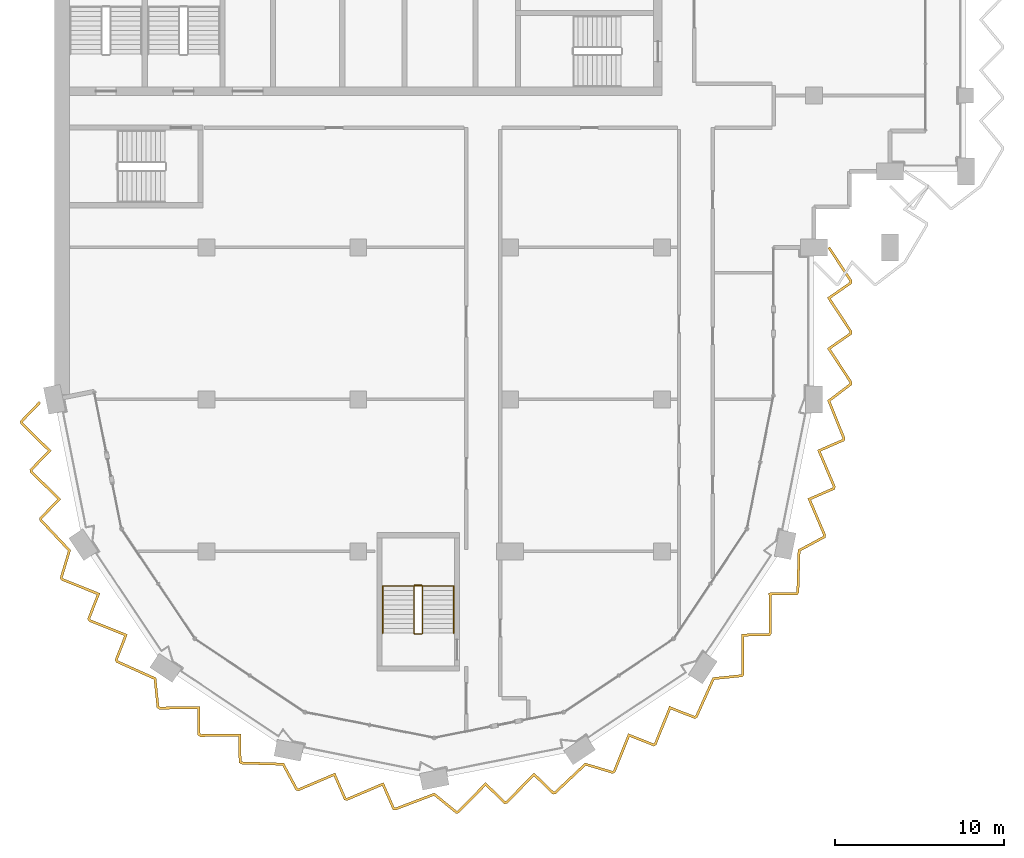
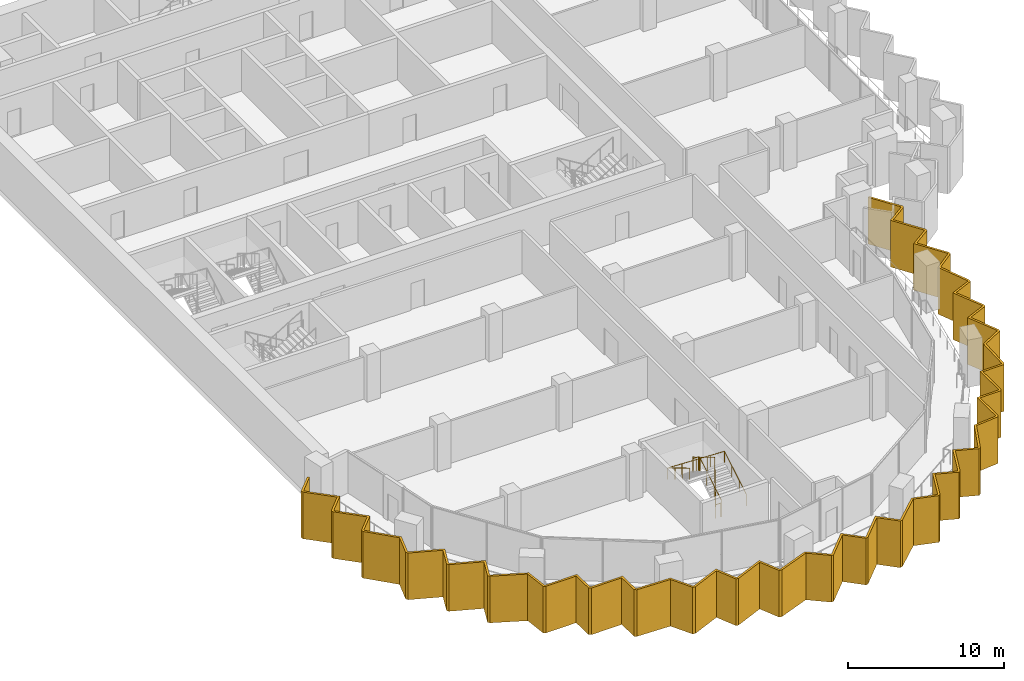
# One storey, part 12 of 15: 2 railings, 1 shading device.
"""IFC4 building model written with IfcOpenShell, lengths in metres."""

from ifc_helpers import new_model, si_unit, direction, frame, origin, origin_2d, place, context, subcontext, project, spatial, polyline, circle, outline, extrude, material, layer, layer_set, type_object, element, save


model = new_model("IFC4")

# Units and contexts
model_context = context("Model", 3, precision=1e-05, world=origin(), true_north=direction((0.0, 1.0)))
body_context = subcontext(model_context, "Body", "Model", "MODEL_VIEW")
ifc_project = project(units=[si_unit("LENGTHUNIT", "METRE"), si_unit("AREAUNIT", "SQUARE_METRE"), si_unit("VOLUMEUNIT", "CUBIC_METRE"), si_unit("PLANEANGLEUNIT", "RADIAN"), si_unit("MASSUNIT", "GRAM", prefix="KILO")], contexts=[model_context])

# Site, building, storey
site_placement = place(None, origin())
site = spatial("IfcSite", under=ifc_project, at=site_placement, CompositionType="ELEMENT")
building_placement = place(site_placement, origin())
building = spatial("IfcBuilding", under=site, at=building_placement, Name="Hunhe Ridgeline Campus", CompositionType="ELEMENT")
storey_placement = place(building_placement, frame((0.0, 0.0, 231.800048828125)))
storey = spatial("IfcBuildingStorey", under=building, at=storey_placement, Name="L59", CompositionType="ELEMENT", Elevation=231.800048828125)

# Shading device
ifc_material_1 = material(Name="Concrete C50", Category="concrete")
ifc_layer = layer(ifc_material_1, 0.14990234375)
ifc_layer_set = layer_set([ifc_layer], Name="Sawtooth concrete fin 150 Concrete C50")
shading_device_type = type_object("IfcShadingDeviceType", Name="Sawtooth concrete fin 150 Concrete C50", PredefinedType="USERDEFINED", material=ifc_layer_set)
shading_device_placement = place(storey_placement, frame((0.0, 0.0, -0.949951171875)))
element("IfcShadingDevice", 1, at=shading_device_placement, inside=storey, type_object=shading_device_type, Name="Concrete fin screen 1", ObjectType="FIN", PredefinedType="USERDEFINED", context=body_context, shape_type="SweptSolid", body=[
    extrude(outline(polyline([(-0.80419921875, 44.777099609375), (-0.912109375, 44.88134765625), (-2.038330078125, 43.714111328125), (-2.002685546875, 43.535400390625), (-0.392822265625, 41.957763671875), (-1.467529296875, 40.843994140625), (-1.431884765625, 40.665283203125), (0.177978515625, 39.087646484375), (-0.896484375, 37.973876953125), (-0.861328125, 37.796630859375), (0.80419921875, 36.0283203125), (0.32373046875, 34.41845703125), (0.4228515625, 34.27001953125), (2.513916015625, 33.428466796875), (1.947509765625, 31.988525390625), (2.048828125, 31.8369140625), (4.1396484375, 30.995361328125), (3.5732421875, 29.555419921875), (3.673583984375, 29.405029296875), (5.88916015625, 28.40869140625), (6.061279296875, 26.7373046875), (6.209716796875, 26.63818359375), (8.46337890625, 26.6611328125), (8.4912109375, 25.11376953125), (8.642822265625, 25.012451171875), (10.896728515625, 25.03515625), (10.92431640625, 23.488037109375), (11.07470703125, 23.387451171875), (13.502685546875, 23.314697265625), (14.301513671875, 21.836669921875), (14.476318359375, 21.802001953125), (16.550048828125, 22.685546875), (17.167724609375, 21.2666015625), (17.346435546875, 21.23095703125), (19.420166015625, 22.114501953125), (20.037841796875, 20.69580078125), (20.215087890625, 20.660400390625), (22.486328125, 21.5224609375), (23.789794921875, 20.46240234375), (23.964599609375, 20.497314453125), (25.542236328125, 22.107177734375), (26.656005859375, 21.032470703125), (26.834716796875, 21.068115234375), (28.412353515625, 22.677978515625), (29.526123046875, 21.603515625), (29.703369140625, 21.638671875), (31.4716796875, 23.30419921875), (33.08154296875, 22.82373046875), (33.22998046875, 22.9228515625), (34.071533203125, 25.013916015625), (35.511474609375, 24.447509765625), (35.6630859375, 24.548828125), (36.504638671875, 26.6396484375), (37.944580078125, 26.0732421875), (38.094970703125, 26.173583984375), (39.09130859375, 28.38916015625), (40.7626953125, 28.561279296875), (40.86181640625, 28.709716796875), (40.8388671875, 30.96337890625), (42.38623046875, 30.9912109375), (42.487548828125, 31.142822265625), (42.46484375, 33.396728515625), (44.011962890625, 33.42431640625), (44.112548828125, 33.57470703125), (44.185302734375, 36.002685546875), (45.663330078125, 36.801513671875), (45.697998046875, 36.976318359375), (44.814453125, 39.050048828125), (46.2333984375, 39.667724609375), (46.26904296875, 39.846435546875), (45.385498046875, 41.920166015625), (46.80419921875, 42.537841796875), (46.83984375, 42.7158203125), (45.9658203125, 44.888671875), (47.25, 45.865478515625), (47.25, 46.045166015625), (45.977783203125, 47.97998046875), (47.25, 48.863525390625), (47.25, 49.045166015625), (45.977783203125, 50.97998046875), (47.25, 51.863525390625), (47.25, 52.045166015625), (45.937744140625, 54.041259765625), (45.812255859375, 53.958740234375), (47.10009765625, 52.000244140625), (47.10009765625, 51.94189453125), (45.772216796875, 51.02001953125), (47.10009765625, 49.000244140625), (47.10009765625, 48.94189453125), (45.772216796875, 48.02001953125), (47.10009765625, 46.000244140625), (47.10009765625, 45.93994140625), (45.7841796875, 44.93896484375), (46.683837890625, 42.701416015625), (46.672607421875, 42.64404296875), (45.189208984375, 41.998291015625), (46.11279296875, 39.830322265625), (46.1015625, 39.77392578125), (44.6181640625, 39.128173828125), (45.5419921875, 36.960205078125), (45.530029296875, 36.89990234375), (44.037841796875, 36.09375), (43.9638671875, 33.6220703125), (43.930908203125, 33.572998046875), (42.313232421875, 33.5439453125), (42.337158203125, 31.187744140625), (42.30517578125, 31.1396484375), (40.6875, 31.11083984375), (40.711181640625, 28.75439453125), (40.677001953125, 28.703369140625), (38.989990234375, 28.529541015625), (37.975830078125, 26.2744140625), (37.926513671875, 26.241455078125), (36.421142578125, 26.833740234375), (35.541259765625, 24.647705078125), (35.493408203125, 24.61572265625), (33.98779296875, 25.2080078125), (33.108154296875, 23.02197265625), (33.056884765625, 22.98779296875), (31.431884765625, 23.47265625), (29.6318359375, 21.777587890625), (29.57373046875, 21.765869140625), (28.409423828125, 22.88916015625), (26.760009765625, 21.206298828125), (26.70361328125, 21.195068359375), (25.539306640625, 22.318359375), (23.889892578125, 20.63525390625), (23.82958984375, 20.623291015625), (22.513671875, 21.693359375), (20.2021484375, 20.81591796875), (20.14404296875, 20.827392578125), (19.498291015625, 22.310791015625), (17.330322265625, 21.38720703125), (17.27392578125, 21.3984375), (16.628173828125, 22.8818359375), (14.460205078125, 21.9580078125), (14.39990234375, 21.969970703125), (13.59375, 23.462158203125), (11.1220703125, 23.5361328125), (11.072998046875, 23.569091796875), (11.0439453125, 25.186767578125), (8.687744140625, 25.162841796875), (8.6396484375, 25.19482421875), (8.61083984375, 26.8125), (6.25439453125, 26.788818359375), (6.203369140625, 26.822998046875), (6.029541015625, 28.510009765625), (3.7744140625, 29.524169921875), (3.741455078125, 29.573486328125), (4.333740234375, 31.078857421875), (2.147705078125, 31.958740234375), (2.11572265625, 32.006591796875), (2.7080078125, 33.51220703125), (0.52197265625, 34.391845703125), (0.48779296875, 34.443115234375), (0.97265625, 36.068115234375), (-0.722412109375, 37.8681640625), (-0.734130859375, 37.92626953125), (0.38916015625, 39.090576171875), (-1.293701171875, 40.739990234375), (-1.304931640625, 40.79638671875), (-0.181640625, 41.960693359375), (-1.86474609375, 43.610107421875), (-1.8759765625, 43.66650390625), (-0.80419921875, 44.777099609375)])), origin(), (0.0, 0.0, 1.0), 3.64990234375),
])

# Railings
ifc_material_2 = material(Name="Stainless steel balustrade", Category="steel")
railing_type_1 = type_object("IfcRailingType", Name="Stair guard 1100 stainless", PredefinedType="GUARDRAIL", material=ifc_material_2)
railing_1_placement = place(storey_placement, frame((21.800048828125, 31.14990234375, 0.168212890625)))
element("IfcRailing", 2, at=railing_1_placement, inside=storey, type_object=railing_type_1, Name="L59 stair W3 guard", PredefinedType="GUARDRAIL", context=body_context, shape_type="SweptSolid", body=[
    extrude(circle(Radius=0.02392578125, at=origin_2d()), frame((0.0, 0.0, 1.076171875), z_axis=(0.0, 0.857275202839, 0.514858452973), x_axis=(-1.0, 0.0, 0.0)), (0.0, 0.0, 1.0), 3.26611328125),
    extrude(circle(Radius=0.02392578125, at=origin_2d()), frame((0.0, 2.800048828125, 2.7578125), z_axis=(-0.707106781187, 0.707106781187, 0.0), x_axis=(-0.707106781187, -0.707106781187, 0.0)), (0.0, 0.0, 1.0), 0.07080078125),
    extrude(circle(Radius=0.02392578125, at=origin_2d()), frame((-0.050048828125, 2.85009765625, 2.7578125), z_axis=(-1.0, 0.0, 0.0), x_axis=(0.0, -1.0, 0.0)), (0.0, 0.0, 1.0), 0.39990234375),
    extrude(circle(Radius=0.02392578125, at=origin_2d()), frame((-0.449951171875, 2.85009765625, 2.7578125), z_axis=(-0.274243871929, -0.274243871929, 0.92172696468), x_axis=(0.707106781187, -0.707106781187, 0.0)), (0.0, 0.0, 1.0), 0.1826171875),
    extrude(circle(Radius=0.02392578125, at=origin_2d()), frame((-0.5, 2.800048828125, 2.92578125), z_axis=(0.0, -0.857242210791, 0.514913383045), x_axis=(1.0, 0.0, 0.0)), (0.0, 0.0, 1.0), 3.266357421875),
    extrude(circle(Radius=0.02392578125, at=origin_2d()), frame((-0.5, 0.0, 4.60791015625), z_axis=(0.013524426427, -0.013458453615, -0.999817963389), x_axis=(0.705375805398, 0.708833529934, 0.0)), (0.0, 0.0, 1.0), 3.70068359375),
    extrude(circle(Radius=0.02392578125, at=origin_2d()), frame((-0.449951171875, -0.0498046875, 0.90771484375), z_axis=(1.0, 0.0, 0.0), x_axis=(0.0, 1.0, 0.0)), (0.0, 0.0, 1.0), 0.39990234375),
    extrude(circle(Radius=0.02099609375, at=origin_2d()), origin(), (0.0, 0.0, 1.0), 1.052001953125),
    extrude(circle(Radius=0.02099609375, at=origin_2d()), frame((0.0, 0.933349609375, 0.560546875)), (0.0, 0.0, 1.0), 1.052001953125),
    extrude(circle(Radius=0.02099609375, at=origin_2d()), frame((0.0, 1.86669921875, 1.12109375)), (0.0, 0.0, 1.0), 1.052001953125),
    extrude(circle(Radius=0.02099609375, at=origin_2d()), frame((0.0, 2.800048828125, 1.681640625)), (0.0, 0.0, 1.0), 1.052001953125),
    extrude(circle(Radius=0.02099609375, at=origin_2d()), frame((-0.050048828125, 2.85009765625, 1.681640625)), (0.0, 0.0, 1.0), 1.052001953125),
    extrude(circle(Radius=0.02099609375, at=origin_2d()), frame((-0.449951171875, 2.85009765625, 1.681640625)), (0.0, 0.0, 1.0), 1.052001953125),
    extrude(circle(Radius=0.02099609375, at=origin_2d()), frame((-0.5, 2.800048828125, 1.849853515625)), (0.0, 0.0, 1.0), 1.052001953125),
    extrude(circle(Radius=0.02099609375, at=origin_2d()), frame((-0.5, 1.86669921875, 2.410400390625)), (0.0, 0.0, 1.0), 1.052001953125),
    extrude(circle(Radius=0.02099609375, at=origin_2d()), frame((-0.5, 0.933349609375, 2.97119140625)), (0.0, 0.0, 1.0), 1.052001953125),
    extrude(circle(Radius=0.02099609375, at=origin_2d()), frame((-0.5, 0.0, 3.53173828125)), (0.0, 0.0, 1.0), 1.052001953125),
    extrude(circle(Radius=0.02099609375, at=origin_2d()), frame((-0.487548828125, -0.012451171875, 2.606689453125)), (0.0, 0.0, 1.0), 1.052001953125),
    extrude(circle(Radius=0.02099609375, at=origin_2d()), frame((-0.47509765625, -0.02490234375, 1.681640625)), (0.0, 0.0, 1.0), 1.052001953125),
    extrude(circle(Radius=0.02099609375, at=origin_2d()), frame((-0.46240234375, -0.037353515625, 0.7568359375)), (0.0, 0.0, 1.0), 1.052001953125),
    extrude(circle(Radius=0.02099609375, at=origin_2d()), frame((-0.449951171875, -0.0498046875, -0.168212890625)), (0.0, 0.0, 1.0), 1.052001953125),
    extrude(circle(Radius=0.02099609375, at=origin_2d()), frame((-0.050048828125, -0.0498046875, -0.168212890625)), (0.0, 0.0, 1.0), 1.052001953125),
])
ifc_material_3 = material(Name="Stainless steel handrail", Category="steel")
railing_type_2 = type_object("IfcRailingType", Name="Stair handrail 900 stainless", PredefinedType="HANDRAIL", material=ifc_material_3)
railing_2_placement = place(storey_placement, frame((23.64990234375, 31.14990234375, 0.168212890625)))
element("IfcRailing", 3, at=railing_2_placement, inside=storey, type_object=railing_type_2, Name="L59 stair W3 handrail", PredefinedType="HANDRAIL", context=body_context, shape_type="SweptSolid", body=[
    extrude(circle(Radius=0.02392578125, at=origin_2d()), frame((0.0, 0.0, 0.8759765625), z_axis=(0.0, 0.857275202839, 0.514858452973), x_axis=(-1.0, 0.0, 0.0)), (0.0, 0.0, 1.0), 3.26611328125),
    extrude(circle(Radius=0.02392578125, at=origin_2d()), frame((0.0, 2.800048828125, 2.5576171875), z_axis=(-0.999198916169, 0.0, 0.040019069537), x_axis=(0.0, -1.0, 0.0)), (0.0, 0.0, 1.0), 4.203369140625),
    extrude(circle(Radius=0.02392578125, at=origin_2d()), frame((-4.199951171875, 2.800048828125, 2.7255859375), z_axis=(0.0, -0.857242210791, 0.514913383045), x_axis=(1.0, 0.0, 0.0)), (0.0, 0.0, 1.0), 3.266357421875),
    extrude(circle(Radius=0.02099609375, at=origin_2d()), origin(), (0.0, 0.0, 1.0), 0.851806640625),
    extrude(circle(Radius=0.02099609375, at=origin_2d()), frame((0.0, 0.933349609375, 0.560546875)), (0.0, 0.0, 1.0), 0.851806640625),
    extrude(circle(Radius=0.02099609375, at=origin_2d()), frame((0.0, 1.86669921875, 1.12109375)), (0.0, 0.0, 1.0), 0.851806640625),
    extrude(circle(Radius=0.02099609375, at=origin_2d()), frame((0.0, 2.800048828125, 1.681640625)), (0.0, 0.0, 1.0), 0.851806640625),
    extrude(circle(Radius=0.02099609375, at=origin_2d()), frame((-1.050048828125, 2.800048828125, 1.7236328125)), (0.0, 0.0, 1.0), 0.851806640625),
    extrude(circle(Radius=0.02099609375, at=origin_2d()), frame((-2.10009765625, 2.800048828125, 1.765625)), (0.0, 0.0, 1.0), 0.851806640625),
    extrude(circle(Radius=0.02099609375, at=origin_2d()), frame((-3.14990234375, 2.800048828125, 1.807861328125)), (0.0, 0.0, 1.0), 0.851806640625),
    extrude(circle(Radius=0.02099609375, at=origin_2d()), frame((-4.199951171875, 2.800048828125, 1.849853515625)), (0.0, 0.0, 1.0), 0.851806640625),
    extrude(circle(Radius=0.02099609375, at=origin_2d()), frame((-4.199951171875, 1.86669921875, 2.410400390625)), (0.0, 0.0, 1.0), 0.851806640625),
    extrude(circle(Radius=0.02099609375, at=origin_2d()), frame((-4.199951171875, 0.933349609375, 2.97119140625)), (0.0, 0.0, 1.0), 0.851806640625),
    extrude(circle(Radius=0.02099609375, at=origin_2d()), frame((-4.199951171875, 0.0, 3.53173828125)), (0.0, 0.0, 1.0), 0.851806640625),
])

save(model, "model.ifc")
